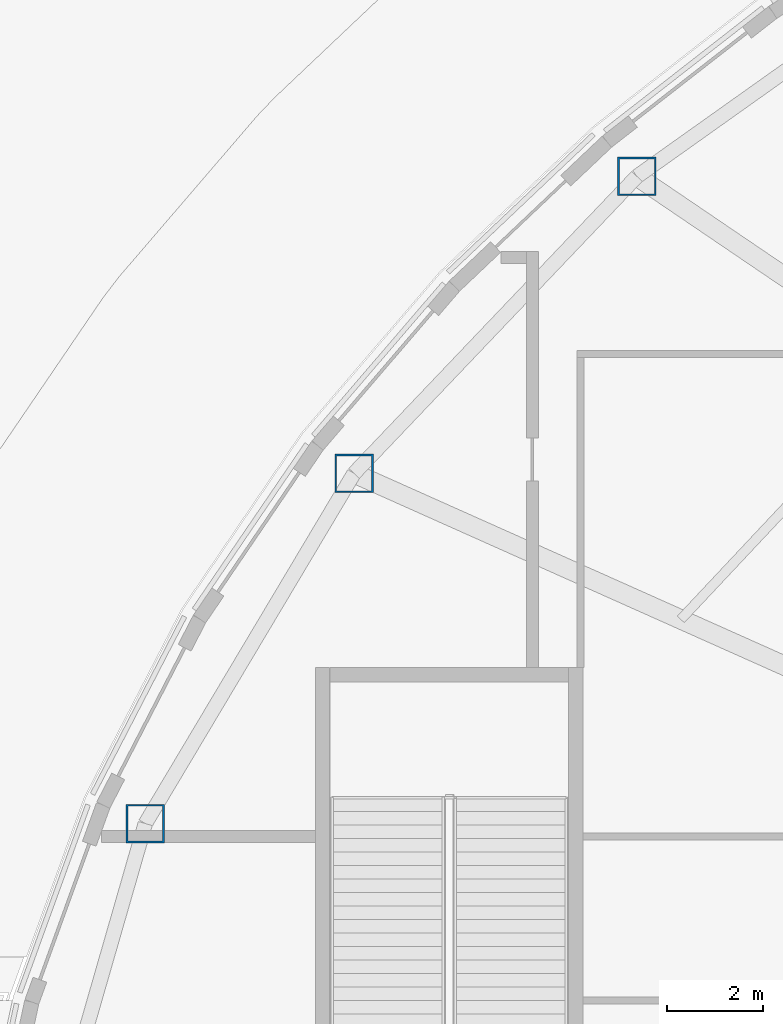
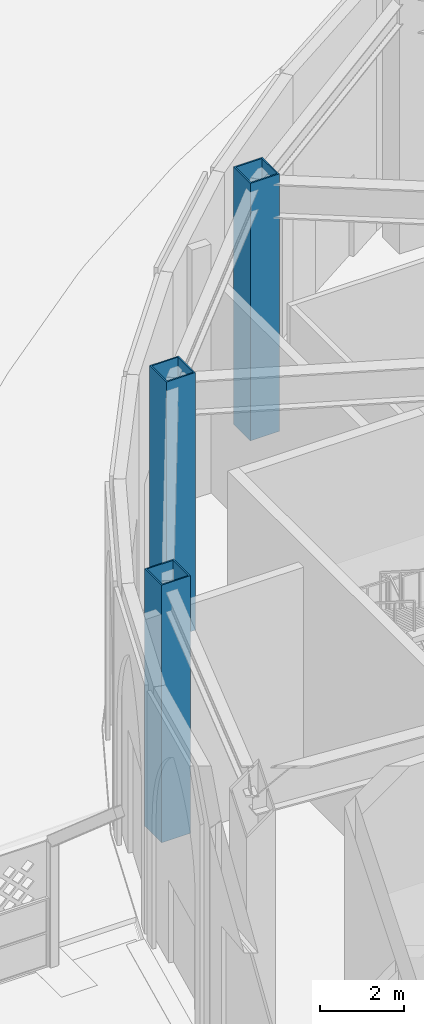
# One storey, part 11 of 79: 3 columns.
"""IFC4 building model written with IfcOpenShell, lengths in metres."""

from ifc_helpers import new_model, si_unit, direction, frame, origin, origin_2d, place, context, subcontext, project, spatial, hollow_rectangle, extrude, material, material_profile, profile_set, type_object, element, save


model = new_model("IFC4")

# Units and contexts
model_context = context("Model", 3, precision=1e-05, world=origin(), true_north=direction((0.0, 1.0)))
body_context = subcontext(model_context, "Body", "Model", "MODEL_VIEW")
ifc_project = project(units=[si_unit("LENGTHUNIT", "METRE"), si_unit("AREAUNIT", "SQUARE_METRE"), si_unit("VOLUMEUNIT", "CUBIC_METRE"), si_unit("PLANEANGLEUNIT", "RADIAN"), si_unit("MASSUNIT", "GRAM", prefix="KILO")], contexts=[model_context])

# Site, building, storey
site_placement = place(None, origin())
site = spatial("IfcSite", under=ifc_project, at=site_placement, CompositionType="ELEMENT")
building_placement = place(site_placement, origin())
building = spatial("IfcBuilding", under=site, at=building_placement, Name="Noorbagh Ring Tower", CompositionType="ELEMENT")
storey_placement = place(building_placement, origin())
storey = spatial("IfcBuildingStorey", under=building, at=storey_placement, Name="L00", CompositionType="ELEMENT", Elevation=0.0)

# Columns
ifc_material = material(Name="Steel S355", Category="steel")
ifc_material_profile = material_profile(ifc_material, hollow_rectangle(XDim=0.800048828125, YDim=0.800048828125, WallThickness=0.0400390625, at=origin_2d()), Name="BOX800x800x40")
ifc_profile_set = profile_set([ifc_material_profile], Name="Steel S355")
column_type = type_object("IfcColumnType", Name="GND-COL-BOX800x800x40", PredefinedType="COLUMN", material=ifc_profile_set)
for number, where, z_axis, x_axis, name in (
    (1, (-37.8330078125, 25.679931640625, 0.0), (0.0, 0.0, 1.0), (1.0, 0.0, 0.0), "L00/col/RP-14"),
    (2, (-43.6962890625, 19.52490234375, 0.0), (0.0, 0.0, 1.0), (1.0, 0.0, 0.0), "L00/col/RP-15"),
    (3, (-48.0224609375, 12.266845703125, 0.0), (0.0, 0.0, 1.0), (1.0, 0.0, 0.0), "L00/col/RP-16"),
):
    element("IfcColumn", number, at=place(storey_placement, frame(where, z_axis=z_axis, x_axis=x_axis)), inside=storey, type_object=column_type, Name=name, PredefinedType="COLUMN", context=body_context, shape_type="SweptSolid", body=[
        extrude(hollow_rectangle(XDim=0.800048828125, YDim=0.800048828125, WallThickness=0.0400390625, at=origin_2d()), origin(), (0.0, 0.0, 1.0), 7.5),
    ])

save(model, "model.ifc")
